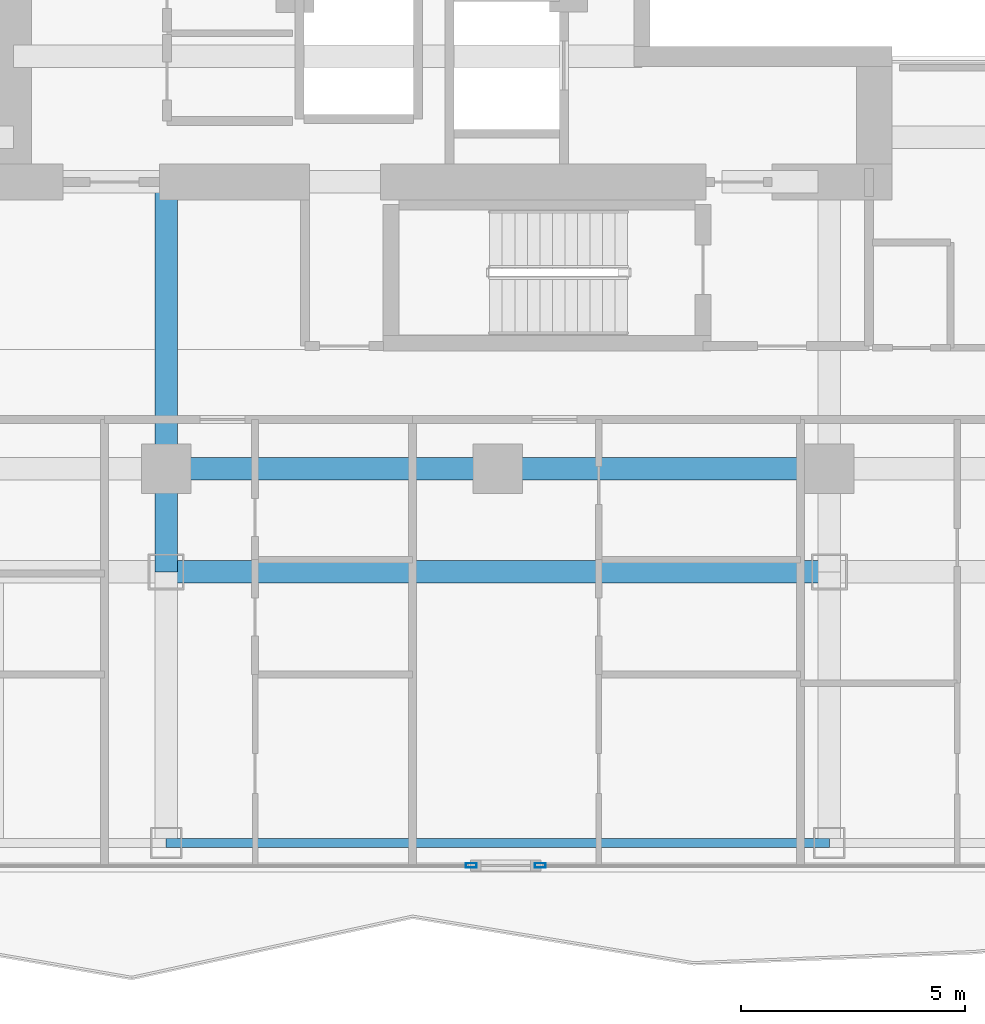
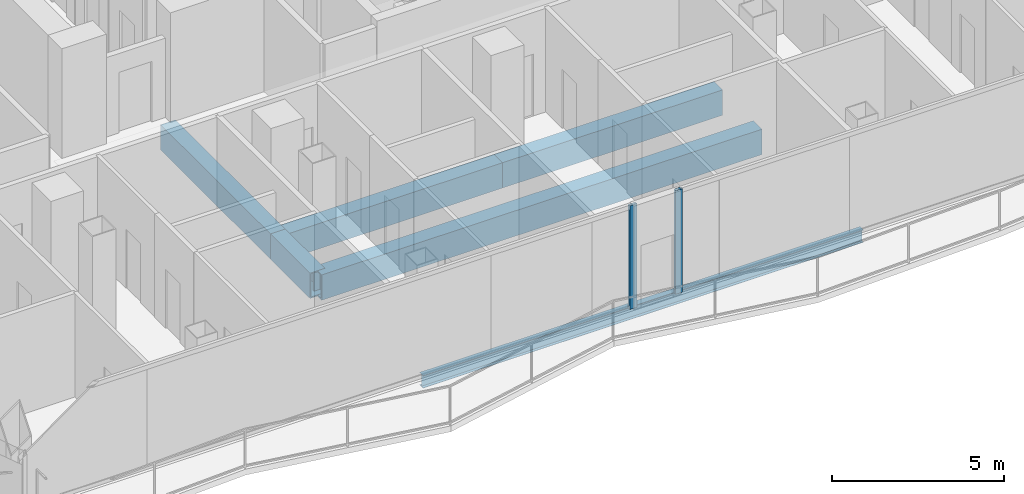
# One storey, part 4 of 27: 6 beams, 2 members, 2 elements without a shape of their own.
"""IFC4 building model written with IfcOpenShell, lengths in metres."""

from ifc_helpers import new_model, si_unit, direction, frame, origin, origin_2d, place, context, subcontext, project, spatial, hollow_rectangle, i_section, extrude, material, layer, layer_set, material_profile, profile_set, type_object, element, aggregate, save


model = new_model("IFC4")

# Units and contexts
model_context = context("Model", 3, precision=1e-05, world=origin(), true_north=direction((0.0, 1.0)))
body_context = subcontext(model_context, "Body", "Model", "MODEL_VIEW")
ifc_project = project(units=[si_unit("LENGTHUNIT", "METRE"), si_unit("AREAUNIT", "SQUARE_METRE"), si_unit("VOLUMEUNIT", "CUBIC_METRE"), si_unit("PLANEANGLEUNIT", "RADIAN"), si_unit("MASSUNIT", "GRAM", prefix="KILO")], contexts=[model_context])

# Site, building, storey
site_placement = place(None, origin())
site = spatial("IfcSite", under=ifc_project, at=site_placement, CompositionType="ELEMENT")
building_placement = place(site_placement, origin())
building = spatial("IfcBuilding", under=site, at=building_placement, Name="Khorvyn Point Tower", CompositionType="ELEMENT")
storey_placement = place(building_placement, frame((0.0, 0.0, 168.0)))
storey = spatial("IfcBuildingStorey", under=building, at=storey_placement, Name="L41", CompositionType="ELEMENT", Elevation=168.0)

# Curtain wall, member
ifc_material_1 = material(Name="Anodised aluminium 6063-T6 and laminated Low-E glass", Category="aluminium")
ifc_layer = layer(ifc_material_1, 0.18994140625)
ifc_layer_set = layer_set([ifc_layer], Name="Stick-Built Acoustic Curtain Wall CW-SYS-03")
curtain_wall_type = type_object("IfcCurtainWallType", Name="Stick-Built Acoustic Curtain Wall CW-SYS-03", PredefinedType="NOTDEFINED", material=ifc_layer_set)
curtain_wall_1_placement = place(storey_placement, origin())
curtain_wall_1 = element("IfcCurtainWall", 1, at=curtain_wall_1_placement, inside=storey, type_object=curtain_wall_type, Name="Curtain Wall", PredefinedType="NOTDEFINED")
ifc_material_2 = material(Name="Anodised aluminium 6063-T6", Category="aluminium")
ifc_material_profile_1 = material_profile(ifc_material_2, hollow_rectangle(XDim=0.10009765625, YDim=0.239990234375, WallThickness=0.0048828125, at=origin_2d()))
ifc_profile_set_1 = profile_set([ifc_material_profile_1], Name="Anodised aluminium 6063-T6 ALU-MUL-100x240")
member_type = type_object("IfcMemberType", Name="Anodised Aluminium 6063-T6 Mullion ALU-MUL-100x240", PredefinedType="MULLION", material=ifc_profile_set_1)
member_1_placement = place(storey_placement, frame((0.947021484375, -23.64990234375, 0.0), z_axis=(0.0, 0.0, 1.0), x_axis=(0.0, -1.0, 0.0)))
member_1 = element("IfcMember", 2, at=member_1_placement, type_object=member_type, Name="Transom", PredefinedType="MULLION", context=body_context, shape_type="SweptSolid", body=[
    extrude(hollow_rectangle(XDim=0.10009765625, YDim=0.239990234375, WallThickness=0.0048828125, at=origin_2d()), origin(), (0.0, 0.0, 1.0), 3.679931640625),
])
aggregate(curtain_wall_1, [member_1])

curtain_wall_2_placement = place(storey_placement, origin())
curtain_wall_2 = element("IfcCurtainWall", 3, at=curtain_wall_2_placement, inside=storey, type_object=curtain_wall_type, Name="Curtain Wall", PredefinedType="NOTDEFINED")
member_2_placement = place(storey_placement, frame((-0.593017578125, -23.64990234375, 0.0), z_axis=(0.0, 0.0, 1.0), x_axis=(0.0, -1.0, 0.0)))
member_2 = element("IfcMember", 4, at=member_2_placement, type_object=member_type, Name="Transom", PredefinedType="MULLION", context=body_context, shape_type="SweptSolid", body=[
    extrude(hollow_rectangle(XDim=0.10009765625, YDim=0.239990234375, WallThickness=0.0048828125, at=origin_2d()), origin(), (0.0, 0.0, 1.0), 3.679931640625),
])
aggregate(curtain_wall_2, [member_2])

# Beams
ifc_material_3 = material(Name="Steel S355", Category="steel")
ifc_material_profile_2 = material_profile(ifc_material_3, i_section(OverallWidth=0.199951171875, OverallDepth=0.449951171875, WebThickness=0.009033203125, FlangeThickness=0.013916015625, at=origin_2d()))
ifc_profile_set_2 = profile_set([ifc_material_profile_2], Name="Steel S355 H450x200x9x14")
beam_type_1 = type_object("IfcBeamType", Name="Steel S355 Spandrel H450x200x9x14", PredefinedType="SPANDREL", material=ifc_profile_set_2)
beam_1_placement = place(storey_placement, frame((-7.39990234375, -23.14990234375, -0.5048828125), z_axis=(1.0, 0.0, 0.0), x_axis=(0.0, 1.0, 0.0)))
element("IfcBeam", 5, at=beam_1_placement, inside=storey, type_object=beam_type_1, Name="Beam", PredefinedType="SPANDREL", context=body_context, shape_type="SweptSolid", body=[
    extrude(i_section(OverallWidth=0.199951171875, OverallDepth=0.449951171875, WebThickness=0.009033203125, FlangeThickness=0.013916015625, at=origin_2d()), origin(), (0.0, 0.0, 1.0), 14.7998046875),
])
ifc_material_4 = material(Name="Steel S450", Category="steel")
ifc_material_profile_3 = material_profile(ifc_material_4, hollow_rectangle(XDim=0.5, YDim=0.89990234375, WallThickness=0.0400390625, at=origin_2d()))
ifc_profile_set_3 = profile_set([ifc_material_profile_3], Name="Steel S450 BOX900x500x40")
beam_type_2 = type_object("IfcBeamType", Name="Steel S450 Beam BOX900x500x40", PredefinedType="BEAM", material=ifc_profile_set_3)
for number, where, z_axis, x_axis, name in (
    (6, (-7.39990234375, -14.800048828125, -0.72998046875), (1.0, 0.0, 0.0), (0.0, 1.0, 0.0), "L41 Radial Transfer Girder"),
    (7, (0.0, -14.800048828125, -0.72998046875), (1.0, 0.0, 0.0), (0.0, 1.0, 0.0), "L41 Radial Transfer Girder"),
):
    element("IfcBeam", number, at=place(storey_placement, frame(where, z_axis=z_axis, x_axis=x_axis)), inside=storey, type_object=beam_type_2, Name=name, PredefinedType="BEAM", context=body_context, shape_type="SweptSolid", body=[
        extrude(hollow_rectangle(XDim=0.5, YDim=0.89990234375, WallThickness=0.0400390625, at=origin_2d()), origin(), (0.0, 0.0, 1.0), 7.39990234375),
    ])
beam_2_placement = place(storey_placement, frame((-7.39990234375, -17.10009765625, -0.72998046875), z_axis=(1.0, 0.0, 0.0), x_axis=(0.0, 1.0, 0.0)))
element("IfcBeam", 8, at=beam_2_placement, inside=storey, type_object=beam_type_2, Name="Beam", PredefinedType="BEAM", context=body_context, shape_type="SweptSolid", body=[
    extrude(hollow_rectangle(XDim=0.5, YDim=0.89990234375, WallThickness=0.0400390625, at=origin_2d()), origin(), (0.0, 0.0, 1.0), 14.7998046875),
])
beam_3_placement = place(storey_placement, frame((-7.39990234375, -17.10009765625, -0.72998046875), z_axis=(0.0, 1.0, 0.0), x_axis=(-1.0, 0.0, 0.0)))
element("IfcBeam", 9, at=beam_3_placement, inside=storey, type_object=beam_type_2, Name="Beam", PredefinedType="BEAM", context=body_context, shape_type="SweptSolid", body=[
    extrude(hollow_rectangle(XDim=0.5, YDim=0.89990234375, WallThickness=0.0400390625, at=origin_2d()), origin(), (0.0, 0.0, 1.0), 2.300048828125),
])
beam_4_placement = place(storey_placement, frame((-7.39990234375, -14.800048828125, -0.72998046875), z_axis=(0.0, 1.0, 0.0), x_axis=(-1.0, 0.0, 0.0)))
element("IfcBeam", 10, at=beam_4_placement, inside=storey, type_object=beam_type_2, Name="Beam", PredefinedType="BEAM", context=body_context, shape_type="SweptSolid", body=[
    extrude(hollow_rectangle(XDim=0.5, YDim=0.89990234375, WallThickness=0.0400390625, at=origin_2d()), origin(), (0.0, 0.0, 1.0), 6.400146484375),
])

save(model, "model.ifc")
